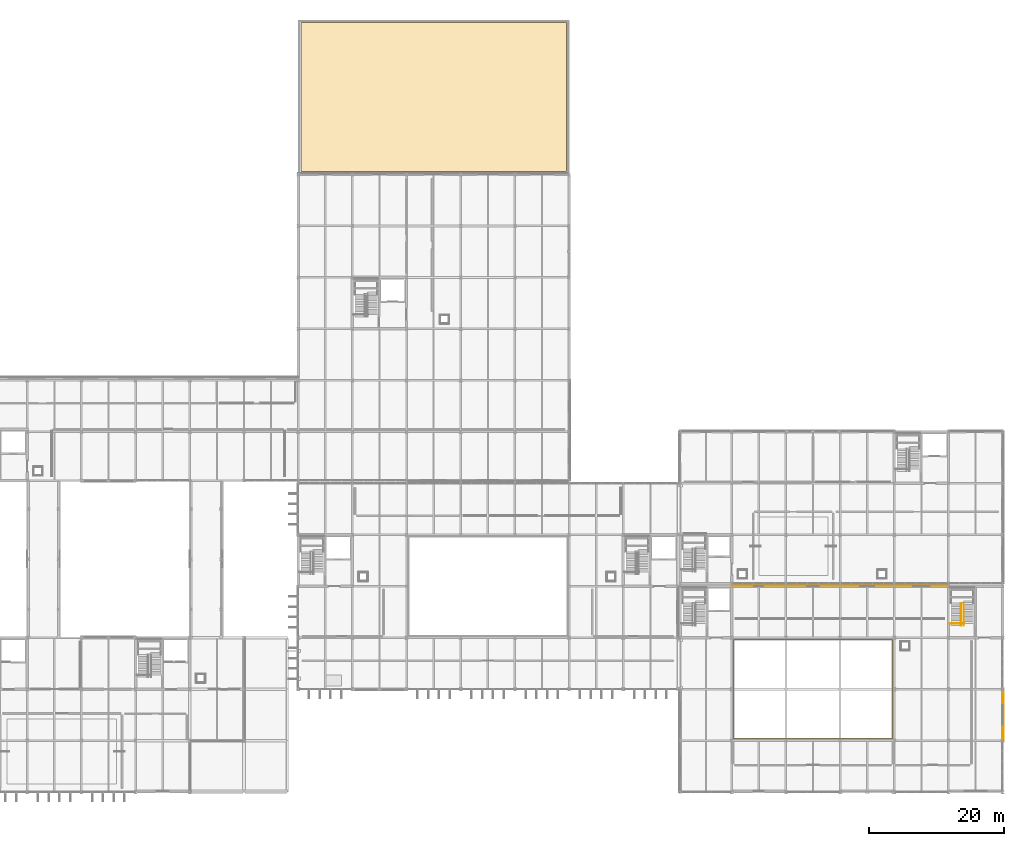
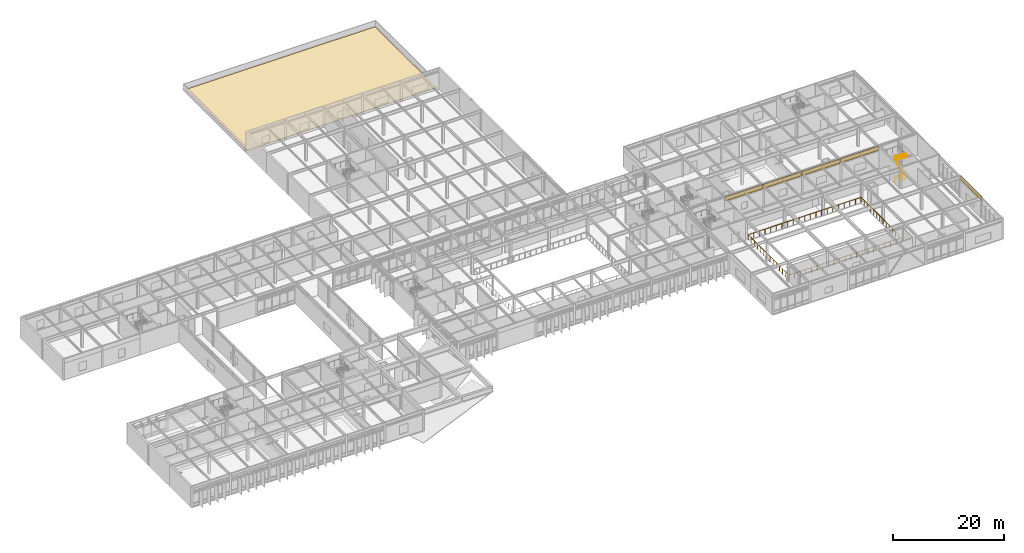
# One storey, part 103 of 104: 6 coverings, 4 railings.
"""IFC4 building model written with IfcOpenShell, lengths in metres."""

from ifc_helpers import new_model, si_unit, direction, frame, origin, origin_2d, place, context, subcontext, project, spatial, polyline, rectangle, circle, outline, extrude, material, layer, layer_set, type_object, element, save


model = new_model("IFC4")

# Units and contexts
model_context = context("Model", 3, precision=1e-05, world=origin(), true_north=direction((0.0, 1.0)))
body_context = subcontext(model_context, "Body", "Model", "MODEL_VIEW")
ifc_project = project(units=[si_unit("LENGTHUNIT", "METRE"), si_unit("AREAUNIT", "SQUARE_METRE"), si_unit("VOLUMEUNIT", "CUBIC_METRE"), si_unit("PLANEANGLEUNIT", "RADIAN"), si_unit("MASSUNIT", "GRAM", prefix="KILO")], contexts=[model_context])

# Site, building, storey
site_placement = place(None, origin())
site = spatial("IfcSite", under=ifc_project, at=site_placement, CompositionType="ELEMENT")
building_placement = place(site_placement, origin())
building = spatial("IfcBuilding", under=site, at=building_placement, Name="Zulena Civic Courthouse", CompositionType="ELEMENT")
storey_placement = place(building_placement, frame((0.0, 0.0, 10.800048828125)))
storey = spatial("IfcBuildingStorey", under=building, at=storey_placement, Name="L02", CompositionType="ELEMENT", Elevation=10.800048828125)

# Railings
ifc_material_1 = material(Name="Brushed architectural steel ASTM A36", Category="steel")
railing_type_1 = type_object("IfcRailingType", Name="InteriorGuardrail_1150", PredefinedType="GUARDRAIL", material=ifc_material_1)
railing_1_placement = place(storey_placement, frame((164.179931640625, 24.89990234375, 0.0)))
element("IfcRailing", 1, at=railing_1_placement, inside=storey, type_object=railing_type_1, Name="gr:wells:K1B:L02", PredefinedType="GUARDRAIL", context=body_context, shape_type="SweptSolid", body=[
    extrude(circle(Radius=0.02392578125, at=origin_2d()), frame((0.00390625, 0.0, 1.1259765625), z_axis=(1.0, 0.0, 0.0), x_axis=(0.0, 1.0, 0.0)), (0.0, 0.0, 1.0), 2.112060546875),
    extrude(circle(Radius=0.02099609375, at=origin_2d()), origin(), (0.0, 0.0, 1.0), 1.097900390625),
    extrude(circle(Radius=0.02099609375, at=origin_2d()), frame((1.06005859375, 0.0, 0.0)), (0.0, 0.0, 1.0), 1.097900390625),
    extrude(circle(Radius=0.02099609375, at=origin_2d()), frame((2.1201171875, 0.0, 0.0)), (0.0, 0.0, 1.0), 1.097900390625),
])
railing_2_placement = place(storey_placement, frame((132.300048828125, 7.89990234375, 0.0)))
element("IfcRailing", 2, at=railing_2_placement, inside=storey, type_object=railing_type_1, Name="guard:void:V1:L02:cer", PredefinedType="GUARDRAIL", context=body_context, shape_type="SweptSolid", body=[
    extrude(circle(Radius=0.02392578125, at=origin_2d()), frame((0.00390625, 0.0, 1.1259765625), z_axis=(1.0, 0.0, 0.0), x_axis=(0.0, 1.0, 0.0)), (0.0, 0.0, 1.0), 23.391845703125),
    extrude(circle(Radius=0.02392578125, at=origin_2d()), frame((23.39990234375, 0.00390625, 1.1259765625), z_axis=(0.0, 1.0, 0.0), x_axis=(-1.0, 0.0, 0.0)), (0.0, 0.0, 1.0), 14.592041015625),
    extrude(circle(Radius=0.02392578125, at=origin_2d()), frame((23.39599609375, 14.60009765625, 1.1259765625), z_axis=(-1.0, 0.0, 0.0), x_axis=(0.0, -1.0, 0.0)), (0.0, 0.0, 1.0), 23.391845703125),
    extrude(circle(Radius=0.02392578125, at=origin_2d()), frame((0.0, 14.59619140625, 1.1259765625), z_axis=(0.0, -1.0, 0.0), x_axis=(1.0, 0.0, 0.0)), (0.0, 0.0, 1.0), 14.592041015625),
    extrude(circle(Radius=0.02099609375, at=origin_2d()), origin(), (0.0, 0.0, 1.0), 1.097900390625),
    extrude(circle(Radius=0.02099609375, at=origin_2d()), frame((1.169921875, 0.0, 0.0)), (0.0, 0.0, 1.0), 1.097900390625),
    extrude(circle(Radius=0.02099609375, at=origin_2d()), frame((2.340087890625, 0.0, 0.0)), (0.0, 0.0, 1.0), 1.097900390625),
    extrude(circle(Radius=0.02099609375, at=origin_2d()), frame((3.510009765625, 0.0, 0.0)), (0.0, 0.0, 1.0), 1.097900390625),
    extrude(circle(Radius=0.02099609375, at=origin_2d()), frame((4.679931640625, 0.0, 0.0)), (0.0, 0.0, 1.0), 1.097900390625),
    extrude(circle(Radius=0.02099609375, at=origin_2d()), frame((5.85009765625, 0.0, 0.0)), (0.0, 0.0, 1.0), 1.097900390625),
    extrude(circle(Radius=0.02099609375, at=origin_2d()), frame((7.02001953125, 0.0, 0.0)), (0.0, 0.0, 1.0), 1.097900390625),
    extrude(circle(Radius=0.02099609375, at=origin_2d()), frame((8.18994140625, 0.0, 0.0)), (0.0, 0.0, 1.0), 1.097900390625),
    extrude(circle(Radius=0.02099609375, at=origin_2d()), frame((9.35986328125, 0.0, 0.0)), (0.0, 0.0, 1.0), 1.097900390625),
    extrude(circle(Radius=0.02099609375, at=origin_2d()), frame((10.530029296875, 0.0, 0.0)), (0.0, 0.0, 1.0), 1.097900390625),
    extrude(circle(Radius=0.02099609375, at=origin_2d()), frame((11.699951171875, 0.0, 0.0)), (0.0, 0.0, 1.0), 1.097900390625),
    extrude(circle(Radius=0.02099609375, at=origin_2d()), frame((12.869873046875, 0.0, 0.0)), (0.0, 0.0, 1.0), 1.097900390625),
    extrude(circle(Radius=0.02099609375, at=origin_2d()), frame((14.0400390625, 0.0, 0.0)), (0.0, 0.0, 1.0), 1.097900390625),
    extrude(circle(Radius=0.02099609375, at=origin_2d()), frame((15.2099609375, 0.0, 0.0)), (0.0, 0.0, 1.0), 1.097900390625),
    extrude(circle(Radius=0.02099609375, at=origin_2d()), frame((16.3798828125, 0.0, 0.0)), (0.0, 0.0, 1.0), 1.097900390625),
    extrude(circle(Radius=0.02099609375, at=origin_2d()), frame((17.5498046875, 0.0, 0.0)), (0.0, 0.0, 1.0), 1.097900390625),
    extrude(circle(Radius=0.02099609375, at=origin_2d()), frame((18.719970703125, 0.0, 0.0)), (0.0, 0.0, 1.0), 1.097900390625),
    extrude(circle(Radius=0.02099609375, at=origin_2d()), frame((19.889892578125, 0.0, 0.0)), (0.0, 0.0, 1.0), 1.097900390625),
    extrude(circle(Radius=0.02099609375, at=origin_2d()), frame((21.059814453125, 0.0, 0.0)), (0.0, 0.0, 1.0), 1.097900390625),
    extrude(circle(Radius=0.02099609375, at=origin_2d()), frame((22.22998046875, 0.0, 0.0)), (0.0, 0.0, 1.0), 1.097900390625),
    extrude(circle(Radius=0.02099609375, at=origin_2d()), frame((23.39990234375, 0.0, 0.0)), (0.0, 0.0, 1.0), 1.097900390625),
    extrude(circle(Radius=0.02099609375, at=origin_2d()), frame((23.39990234375, 1.123046875, 0.0)), (0.0, 0.0, 1.0), 1.097900390625),
    extrude(circle(Radius=0.02099609375, at=origin_2d()), frame((23.39990234375, 2.24609375, 0.0)), (0.0, 0.0, 1.0), 1.097900390625),
    extrude(circle(Radius=0.02099609375, at=origin_2d()), frame((23.39990234375, 3.369140625, 0.0)), (0.0, 0.0, 1.0), 1.097900390625),
    extrude(circle(Radius=0.02099609375, at=origin_2d()), frame((23.39990234375, 4.492431640625, 0.0)), (0.0, 0.0, 1.0), 1.097900390625),
    extrude(circle(Radius=0.02099609375, at=origin_2d()), frame((23.39990234375, 5.615478515625, 0.0)), (0.0, 0.0, 1.0), 1.097900390625),
    extrude(circle(Radius=0.02099609375, at=origin_2d()), frame((23.39990234375, 6.738525390625, 0.0)), (0.0, 0.0, 1.0), 1.097900390625),
    extrude(circle(Radius=0.02099609375, at=origin_2d()), frame((23.39990234375, 7.861572265625, 0.0)), (0.0, 0.0, 1.0), 1.097900390625),
    extrude(circle(Radius=0.02099609375, at=origin_2d()), frame((23.39990234375, 8.984619140625, 0.0)), (0.0, 0.0, 1.0), 1.097900390625),
    extrude(circle(Radius=0.02099609375, at=origin_2d()), frame((23.39990234375, 10.107666015625, 0.0)), (0.0, 0.0, 1.0), 1.097900390625),
    extrude(circle(Radius=0.02099609375, at=origin_2d()), frame((23.39990234375, 11.23095703125, 0.0)), (0.0, 0.0, 1.0), 1.097900390625),
    extrude(circle(Radius=0.02099609375, at=origin_2d()), frame((23.39990234375, 12.35400390625, 0.0)), (0.0, 0.0, 1.0), 1.097900390625),
    extrude(circle(Radius=0.02099609375, at=origin_2d()), frame((23.39990234375, 13.47705078125, 0.0)), (0.0, 0.0, 1.0), 1.097900390625),
    extrude(circle(Radius=0.02099609375, at=origin_2d()), frame((23.39990234375, 14.60009765625, 0.0)), (0.0, 0.0, 1.0), 1.097900390625),
    extrude(circle(Radius=0.02099609375, at=origin_2d()), frame((22.22998046875, 14.60009765625, 0.0)), (0.0, 0.0, 1.0), 1.097900390625),
    extrude(circle(Radius=0.02099609375, at=origin_2d()), frame((21.059814453125, 14.60009765625, 0.0)), (0.0, 0.0, 1.0), 1.097900390625),
    extrude(circle(Radius=0.02099609375, at=origin_2d()), frame((19.889892578125, 14.60009765625, 0.0)), (0.0, 0.0, 1.0), 1.097900390625),
    extrude(circle(Radius=0.02099609375, at=origin_2d()), frame((18.719970703125, 14.60009765625, 0.0)), (0.0, 0.0, 1.0), 1.097900390625),
    extrude(circle(Radius=0.02099609375, at=origin_2d()), frame((17.5498046875, 14.60009765625, 0.0)), (0.0, 0.0, 1.0), 1.097900390625),
    extrude(circle(Radius=0.02099609375, at=origin_2d()), frame((16.3798828125, 14.60009765625, 0.0)), (0.0, 0.0, 1.0), 1.097900390625),
    extrude(circle(Radius=0.02099609375, at=origin_2d()), frame((15.2099609375, 14.60009765625, 0.0)), (0.0, 0.0, 1.0), 1.097900390625),
    extrude(circle(Radius=0.02099609375, at=origin_2d()), frame((14.0400390625, 14.60009765625, 0.0)), (0.0, 0.0, 1.0), 1.097900390625),
    extrude(circle(Radius=0.02099609375, at=origin_2d()), frame((12.869873046875, 14.60009765625, 0.0)), (0.0, 0.0, 1.0), 1.097900390625),
    extrude(circle(Radius=0.02099609375, at=origin_2d()), frame((11.699951171875, 14.60009765625, 0.0)), (0.0, 0.0, 1.0), 1.097900390625),
    extrude(circle(Radius=0.02099609375, at=origin_2d()), frame((10.530029296875, 14.60009765625, 0.0)), (0.0, 0.0, 1.0), 1.097900390625),
    extrude(circle(Radius=0.02099609375, at=origin_2d()), frame((9.35986328125, 14.60009765625, 0.0)), (0.0, 0.0, 1.0), 1.097900390625),
    extrude(circle(Radius=0.02099609375, at=origin_2d()), frame((8.18994140625, 14.60009765625, 0.0)), (0.0, 0.0, 1.0), 1.097900390625),
    extrude(circle(Radius=0.02099609375, at=origin_2d()), frame((7.02001953125, 14.60009765625, 0.0)), (0.0, 0.0, 1.0), 1.097900390625),
    extrude(circle(Radius=0.02099609375, at=origin_2d()), frame((5.85009765625, 14.60009765625, 0.0)), (0.0, 0.0, 1.0), 1.097900390625),
    extrude(circle(Radius=0.02099609375, at=origin_2d()), frame((4.679931640625, 14.60009765625, 0.0)), (0.0, 0.0, 1.0), 1.097900390625),
    extrude(circle(Radius=0.02099609375, at=origin_2d()), frame((3.510009765625, 14.60009765625, 0.0)), (0.0, 0.0, 1.0), 1.097900390625),
    extrude(circle(Radius=0.02099609375, at=origin_2d()), frame((2.340087890625, 14.60009765625, 0.0)), (0.0, 0.0, 1.0), 1.097900390625),
    extrude(circle(Radius=0.02099609375, at=origin_2d()), frame((1.169921875, 14.60009765625, 0.0)), (0.0, 0.0, 1.0), 1.097900390625),
    extrude(circle(Radius=0.02099609375, at=origin_2d()), frame((0.0, 14.60009765625, 0.0)), (0.0, 0.0, 1.0), 1.097900390625),
    extrude(circle(Radius=0.02099609375, at=origin_2d()), frame((0.0, 13.47705078125, 0.0)), (0.0, 0.0, 1.0), 1.097900390625),
    extrude(circle(Radius=0.02099609375, at=origin_2d()), frame((0.0, 12.35400390625, 0.0)), (0.0, 0.0, 1.0), 1.097900390625),
    extrude(circle(Radius=0.02099609375, at=origin_2d()), frame((0.0, 11.23095703125, 0.0)), (0.0, 0.0, 1.0), 1.097900390625),
    extrude(circle(Radius=0.02099609375, at=origin_2d()), frame((0.0, 10.107666015625, 0.0)), (0.0, 0.0, 1.0), 1.097900390625),
    extrude(circle(Radius=0.02099609375, at=origin_2d()), frame((0.0, 8.984619140625, 0.0)), (0.0, 0.0, 1.0), 1.097900390625),
    extrude(circle(Radius=0.02099609375, at=origin_2d()), frame((0.0, 7.861572265625, 0.0)), (0.0, 0.0, 1.0), 1.097900390625),
    extrude(circle(Radius=0.02099609375, at=origin_2d()), frame((0.0, 6.738525390625, 0.0)), (0.0, 0.0, 1.0), 1.097900390625),
    extrude(circle(Radius=0.02099609375, at=origin_2d()), frame((0.0, 5.615478515625, 0.0)), (0.0, 0.0, 1.0), 1.097900390625),
    extrude(circle(Radius=0.02099609375, at=origin_2d()), frame((0.0, 4.492431640625, 0.0)), (0.0, 0.0, 1.0), 1.097900390625),
    extrude(circle(Radius=0.02099609375, at=origin_2d()), frame((0.0, 3.369140625, 0.0)), (0.0, 0.0, 1.0), 1.097900390625),
    extrude(circle(Radius=0.02099609375, at=origin_2d()), frame((0.0, 2.24609375, 0.0)), (0.0, 0.0, 1.0), 1.097900390625),
    extrude(circle(Radius=0.02099609375, at=origin_2d()), frame((0.0, 1.123046875, 0.0)), (0.0, 0.0, 1.0), 1.097900390625),
])

# Coverings
ifc_material_2 = material(Name="White architectural precast concrete C40/50", Category="concrete")
ifc_layer_1 = layer(ifc_material_2, 0.0849609375)
ifc_layer_set_1 = layer_set([ifc_layer_1], Name="White architectural precast concrete C40/50")
covering_type_1 = type_object("IfcCoveringType", Name="PrecastSpandrelCladding_85", PredefinedType="CLADDING", material=ifc_layer_set_1)
for number, where, z_axis, x_axis, name in (
    (3, (136.0, 30.52001953125, 3.659912109375), (0.0, 0.0, 1.0), (1.0, 0.0, 0.0), "clad:sp:V1:L02:1:1"),
    (4, (144.0, 30.52001953125, 3.659912109375), (0.0, 0.0, 1.0), (1.0, 0.0, 0.0), "clad:sp:V1:L02:1:2"),
    (5, (152.0, 30.52001953125, 3.659912109375), (0.0, 0.0, 1.0), (1.0, 0.0, 0.0), "clad:sp:V1:L02:1:3"),
    (6, (160.0, 30.52001953125, 3.659912109375), (0.0, 0.0, 1.0), (1.0, 0.0, 0.0), "clad:sp:V1:L02:1:4"),
):
    element("IfcCovering", number, at=place(storey_placement, frame(where, z_axis=z_axis, x_axis=x_axis)), inside=storey, type_object=covering_type_1, Name=name, PredefinedType="CLADDING", context=body_context, shape_type="SweptSolid", body=[
        extrude(rectangle(XDim=7.9599609375, YDim=0.0849609375, at=origin_2d()), origin(), (0.0, 0.0, 1.0), 0.93994140625),
    ])
covering_1_placement = place(storey_placement, frame((172.1201171875, 11.39990234375, 3.659912109375), z_axis=(0.0, 0.0, 1.0), x_axis=(0.0, -1.0, 0.0)))
element("IfcCovering", 7, at=covering_1_placement, inside=storey, type_object=covering_type_1, Name="clad:sp:V1:L02:2:2", PredefinedType="CLADDING", context=body_context, shape_type="SweptSolid", body=[
    extrude(rectangle(XDim=7.56005859375, YDim=0.0849609375, at=origin_2d()), origin(), (0.0, 0.0, 1.0), 0.93994140625),
])

# Railings
railing_type_2 = type_object("IfcRailingType", Name="StairHandrail_920", PredefinedType="HANDRAIL", material=ifc_material_1)
railing_3_placement = place(storey_placement, frame((165.85009765625, 24.580078125, 0.0)))
element("IfcRailing", 8, at=railing_3_placement, inside=storey, type_object=railing_type_2, Name="hr:K1B:L02:1", PredefinedType="HANDRAIL", context=body_context, shape_type="SweptSolid", body=[
    extrude(circle(Radius=0.02392578125, at=origin_2d()), frame((0.0, 0.003173828125, 0.898193359375), z_axis=(0.0, 0.809967530533, 0.586474721946), x_axis=(-1.0, 0.0, 0.0)), (0.0, 0.0, 1.0), 4.083984375),
    extrude(circle(Radius=0.02099609375, at=origin_2d()), origin(), (0.0, 0.0, 1.0), 0.867919921875),
    extrude(circle(Radius=0.02099609375, at=origin_2d()), frame((0.0, 0.82861328125, 0.60009765625)), (0.0, 0.0, 1.0), 0.867919921875),
    extrude(circle(Radius=0.02099609375, at=origin_2d()), frame((0.0, 1.6572265625, 1.199951171875)), (0.0, 0.0, 1.0), 0.867919921875),
    extrude(circle(Radius=0.02099609375, at=origin_2d()), frame((0.0, 2.48583984375, 1.7998046875)), (0.0, 0.0, 1.0), 0.867919921875),
    extrude(circle(Radius=0.02099609375, at=origin_2d()), frame((0.0, 3.314453125, 2.39990234375)), (0.0, 0.0, 1.0), 0.867919921875),
])
railing_4_placement = place(storey_placement, frame((166.25, 27.89453125, 2.39990234375)))
element("IfcRailing", 9, at=railing_4_placement, inside=storey, type_object=railing_type_2, Name="hr:K1B:L02:2", PredefinedType="HANDRAIL", context=body_context, shape_type="SweptSolid", body=[
    extrude(circle(Radius=0.02392578125, at=origin_2d()), frame((0.0, -0.003173828125, 0.898193359375), z_axis=(0.0, -0.809939189741, 0.586513860809), x_axis=(1.0, 0.0, 0.0)), (0.0, 0.0, 1.0), 4.084228515625),
    extrude(circle(Radius=0.02099609375, at=origin_2d()), origin(), (0.0, 0.0, 1.0), 0.867919921875),
    extrude(circle(Radius=0.02099609375, at=origin_2d()), frame((0.0, -0.82861328125, 0.60009765625)), (0.0, 0.0, 1.0), 0.867919921875),
    extrude(circle(Radius=0.02099609375, at=origin_2d()), frame((0.0, -1.6572265625, 1.2001953125)), (0.0, 0.0, 1.0), 0.867919921875),
    extrude(circle(Radius=0.02099609375, at=origin_2d()), frame((0.0, -2.48583984375, 1.800048828125)), (0.0, 0.0, 1.0), 0.867919921875),
    extrude(circle(Radius=0.02099609375, at=origin_2d()), frame((0.0, -3.314453125, 2.400146484375)), (0.0, 0.0, 1.0), 0.867919921875),
])

# Covering
ifc_material_3 = material(Name="Insulated standing-seam zinc-aluminium roofing", Category="aluminium")
ifc_layer_2 = layer(ifc_material_3, 0.06005859375)
ifc_layer_set_2 = layer_set([ifc_layer_2], Name="Insulated standing-seam zinc-aluminium roofing")
covering_type_2 = type_object("IfcCoveringType", Name="StandingSeamRoofing_60", PredefinedType="ROOFING", material=ifc_layer_set_2)
covering_2_placement = place(storey_placement, origin())
element("IfcCovering", 10, at=covering_2_placement, inside=storey, type_object=covering_type_2, Name="cov:roofing:V5SP", PredefinedType="ROOFING", context=body_context, shape_type="SweptSolid", body=[
    extrude(outline(polyline([(68.39990234375, 91.60009765625), (107.60009765625, 91.60009765625), (107.60009765625, 113.60009765625), (68.39990234375, 113.60009765625), (68.39990234375, 91.60009765625)])), origin(), (0.0, 0.0, 1.0), 0.06005859375),
])

save(model, "model.ifc")
